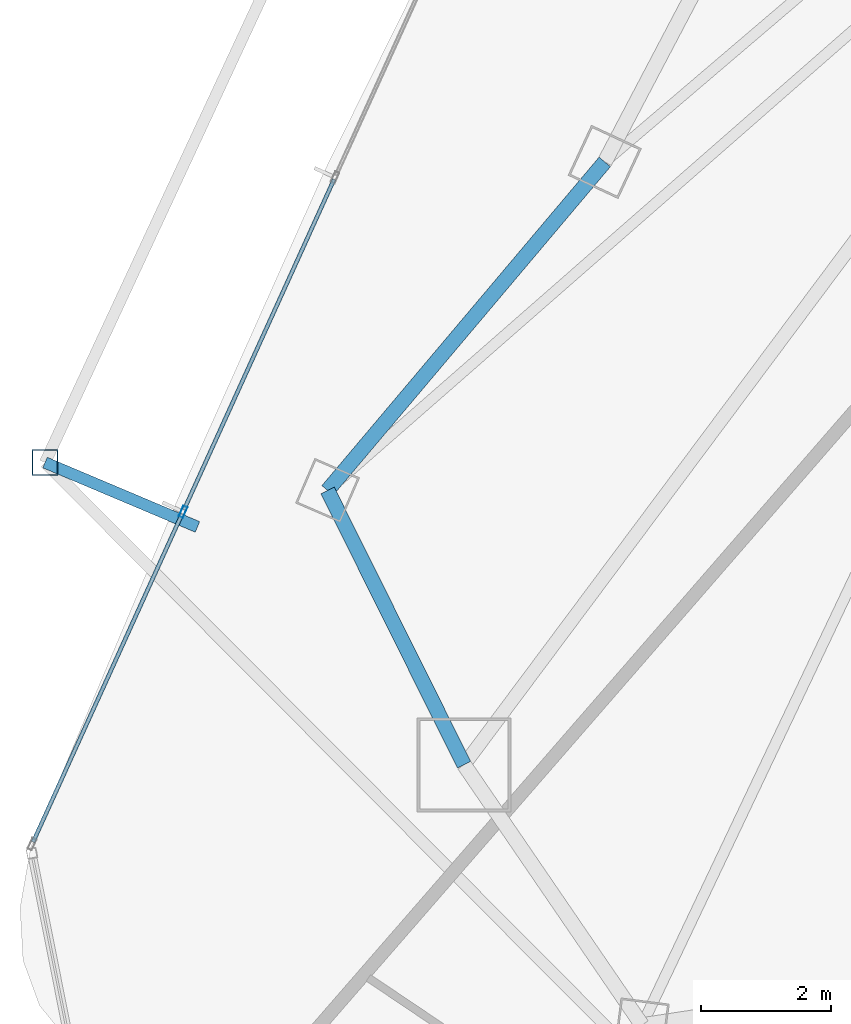
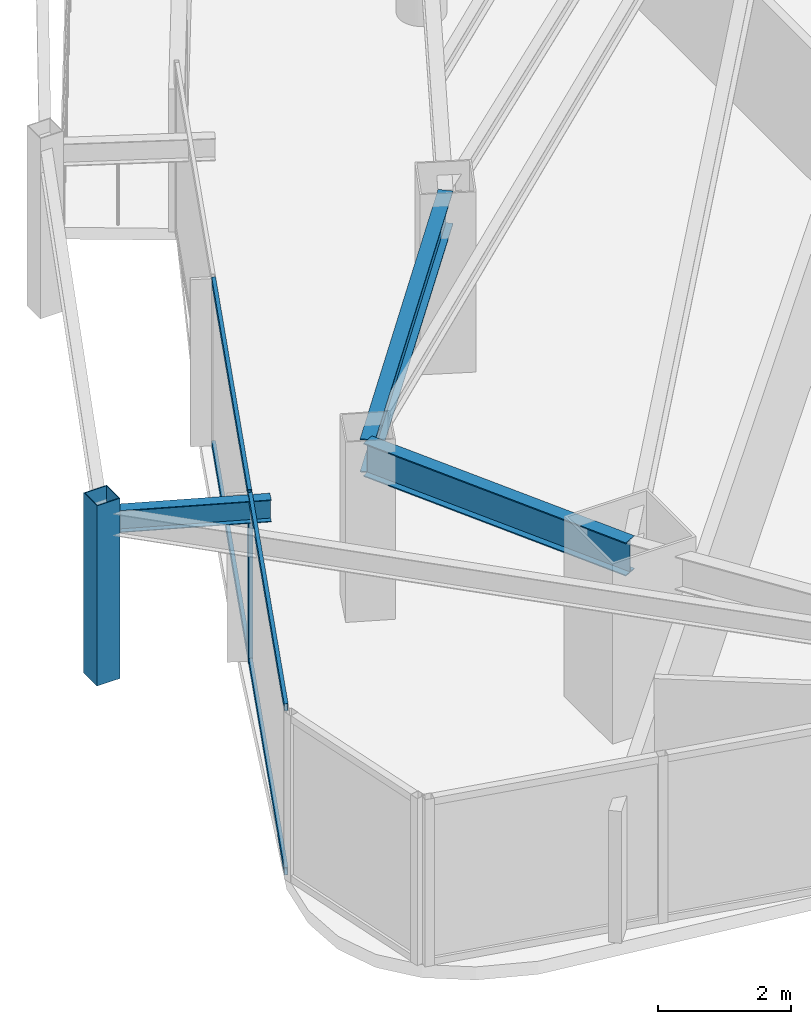
# One storey, part 5 of 30: 6 members, 3 beams, 1 element without a shape of its own.
"""IFC4 building model written with IfcOpenShell, lengths in metres."""

from ifc_helpers import new_model, si_unit, direction, frame, origin, origin_2d, place, context, subcontext, project, spatial, hollow_rectangle, i_section, extrude, material, layer, layer_set, material_profile, profile_set, type_object, element, aggregate, save


model = new_model("IFC4")

# Units and contexts
model_context = context("Model", 3, precision=1e-05, world=origin(), true_north=direction((0.0, 1.0)))
body_context = subcontext(model_context, "Body", "Model", "MODEL_VIEW")
ifc_project = project(units=[si_unit("LENGTHUNIT", "METRE"), si_unit("AREAUNIT", "SQUARE_METRE"), si_unit("VOLUMEUNIT", "CUBIC_METRE"), si_unit("PLANEANGLEUNIT", "RADIAN"), si_unit("MASSUNIT", "GRAM", prefix="KILO")], contexts=[model_context])

# Site, building, storey
site_placement = place(None, origin())
site = spatial("IfcSite", under=ifc_project, at=site_placement, CompositionType="ELEMENT")
building_placement = place(site_placement, origin())
building = spatial("IfcBuilding", under=site, at=building_placement, Name="Orvanel Arch Residences", CompositionType="ELEMENT")
storey_placement = place(building_placement, frame((0.0, 0.0, 139.699951171875)))
storey = spatial("IfcBuildingStorey", under=building, at=storey_placement, Name="L39", CompositionType="ELEMENT", Elevation=139.699951171875)

# Curtain wall, member
ifc_material_1 = material(Name="Bronze-anodised aluminium AA6063-T6", Category="aluminium")
ifc_layer = layer(ifc_material_1, 0.179931640625)
ifc_layer_set = layer_set([ifc_layer], Name="Bronze-anodised aluminium AA6063-T6")
curtain_wall_type = type_object("IfcCurtainWallType", Name="CW3-MID-SYS", PredefinedType="NOTDEFINED", material=ifc_layer_set)
curtain_wall_placement = place(storey_placement, origin())
curtain_wall = element("IfcCurtainWall", 1, at=curtain_wall_placement, inside=storey, type_object=curtain_wall_type, Name="L39 CW3-MID-SYS Unitised Curtain Wall", PredefinedType="NOTDEFINED")
ifc_material_profile_1 = material_profile(ifc_material_1, hollow_rectangle(XDim=0.070068359375, YDim=0.179931640625, WallThickness=0.00439453125, at=origin_2d()), Name="ALU180x70x4.5")
ifc_profile_set_1 = profile_set([ifc_material_profile_1], Name="Bronze-anodised aluminium AA6063-T6")
member_type_1 = type_object("IfcMemberType", Name="MUL-180x70", PredefinedType="MULLION", material=ifc_profile_set_1)
member_1_placement = place(storey_placement, frame((9.868408203125, 14.250732421875, 0.0), z_axis=(0.0, 0.0, 1.0), x_axis=(0.910449142842, -0.413621032225, 0.0)))
member_1 = element("IfcMember", 2, at=member_1_placement, type_object=member_type_1, Name="CW-S3 mullion 3", PredefinedType="MULLION", context=body_context, shape_type="SweptSolid", body=[
    extrude(hollow_rectangle(XDim=0.070068359375, YDim=0.179931640625, WallThickness=0.00439453125, at=origin_2d()), origin(), (0.0, 0.0, 1.0), 3.06005859375),
])

# Beams
ifc_material_2 = material(Name="Structural steel AS/NZS 3679.1 Grade 300 (300 MPa)", Category="steel")
ifc_material_profile_2 = material_profile(ifc_material_2, i_section(OverallWidth=0.177978515625, OverallDepth=0.406005859375, WebThickness=0.0078125, FlangeThickness=0.0126953125, at=origin_2d()), Name="410UB59.7")
ifc_profile_set_2 = profile_set([ifc_material_profile_2], Name="Structural steel AS/NZS 3679.1 Grade 300 (300 MPa)")
beam_type_1 = type_object("IfcBeamType", Name="OB-410UB-EXT", PredefinedType="SPANDREL", material=ifc_profile_set_2)
beam_1_placement = place(storey_placement, frame((10.090087890625, 14.01708984375, 2.85693359375), z_axis=(-0.921236599918, 0.389002733888, 0.0), x_axis=(-0.389002733888, -0.921236599918, 0.0)))
element("IfcBeam", 3, at=beam_1_placement, inside=storey, type_object=beam_type_1, Name="L39 Outer Frame Radial Tie Beam 04", PredefinedType="SPANDREL", context=body_context, shape_type="SweptSolid", body=[
    extrude(i_section(OverallWidth=0.177978515625, OverallDepth=0.406005859375, WebThickness=0.0078125, FlangeThickness=0.0126953125, at=origin_2d()), origin(), (0.0, 0.0, 1.0), 2.550048828125),
])
ifc_material_profile_3 = material_profile(ifc_material_2, i_section(OverallWidth=0.22900390625, OverallDepth=0.612060546875, WebThickness=0.011962890625, FlangeThickness=0.01953125, at=origin_2d()), Name="610UB125")
ifc_profile_set_3 = profile_set([ifc_material_profile_3], Name="Structural steel AS/NZS 3679.1 Grade 300 (300 MPa)")
beam_type_2 = type_object("IfcBeamType", Name="SP-610UB", PredefinedType="SPANDREL", material=ifc_profile_set_3)
beam_2_placement = place(storey_placement, frame((16.366943359375, 19.64208984375, 2.754150390625), z_axis=(-0.644950329775, -0.764224490659, 0.0), x_axis=(0.764224490659, -0.644950329775, 0.0)))
element("IfcBeam", 4, at=beam_2_placement, inside=storey, type_object=beam_type_2, Name="L39 Perimeter Spandrel Beam 01", PredefinedType="SPANDREL", context=body_context, shape_type="SweptSolid", body=[
    extrude(i_section(OverallWidth=0.22900390625, OverallDepth=0.612060546875, WebThickness=0.011962890625, FlangeThickness=0.01953125, at=origin_2d()), origin(), (0.0, 0.0, 1.0), 6.623779296875),
])
beam_3_placement = place(storey_placement, frame((12.094970703125, 14.580078125, 2.754150390625), z_axis=(0.44543469453, -0.895314432425, 0.0), x_axis=(0.895314432425, 0.44543469453, 0.0)))
element("IfcBeam", 5, at=beam_3_placement, inside=storey, type_object=beam_type_2, Name="L39 Perimeter Spandrel Beam 02", PredefinedType="SPANDREL", context=body_context, shape_type="SweptSolid", body=[
    extrude(i_section(OverallWidth=0.22900390625, OverallDepth=0.612060546875, WebThickness=0.011962890625, FlangeThickness=0.01953125, at=origin_2d()), origin(), (0.0, 0.0, 1.0), 4.723388671875),
])

# Member
ifc_material_3 = material(Name="Structural steel AS/NZS 1163 C450L0 (Grade 450)", Category="steel")
ifc_material_profile_4 = material_profile(ifc_material_3, hollow_rectangle(XDim=0.39990234375, YDim=0.39990234375, WallThickness=0.01611328125, at=origin_2d()), Name="SHS400x400x16")
ifc_profile_set_4 = profile_set([ifc_material_profile_4], Name="Structural steel AS/NZS 1163 C450L0 (Grade 450)")
member_type_2 = type_object("IfcMemberType", Name="ST-400SHS-EXT", PredefinedType="STRUT", material=ifc_profile_set_4)
member_2_placement = place(storey_placement, frame((7.740966796875, 15.009033203125, 0.0), z_axis=(0.0, 0.0, 1.0), x_axis=(1.0, 0.0, 0.0)))
element("IfcMember", 6, at=member_2_placement, inside=storey, type_object=member_type_2, Name="L39 Outer Perimeter Frame Post 04", PredefinedType="STRUT", context=body_context, shape_type="SweptSolid", body=[
    extrude(hollow_rectangle(XDim=0.39990234375, YDim=0.39990234375, WallThickness=0.01611328125, at=origin_2d()), origin(), (0.0, 0.0, 1.0), 3.300048828125),
])

ifc_material_profile_5 = material_profile(ifc_material_1, hollow_rectangle(XDim=0.06005859375, YDim=0.135009765625, WallThickness=0.00390625, at=origin_2d()), Name="ALU135x60x4")
ifc_profile_set_5 = profile_set([ifc_material_profile_5], Name="Bronze-anodised aluminium AA6063-T6")
member_type_3 = type_object("IfcMemberType", Name="TRN-135x60", PredefinedType="USERDEFINED", material=ifc_profile_set_5)
member_3_placement = place(storey_placement, frame((12.195068359375, 19.37255859375, 0.030029296875), z_axis=(-0.413592363241, -0.910462166742, 0.0), x_axis=(0.910462166742, -0.413592363241, 0.0)))
member_3 = element("IfcMember", 7, at=member_3_placement, type_object=member_type_3, Name="CW-S3 transom 2.1", ObjectType="TRANSOM", PredefinedType="USERDEFINED", context=body_context, shape_type="SweptSolid", body=[
    extrude(hollow_rectangle(XDim=0.06005859375, YDim=0.135009765625, WallThickness=0.00390625, at=origin_2d()), origin(), (0.0, 0.0, 1.0), 5.590576171875),
])

member_4_placement = place(storey_placement, frame((12.195068359375, 19.37255859375, 3.030029296875), z_axis=(-0.413592363241, -0.910462166742, 0.0), x_axis=(0.910462166742, -0.413592363241, 0.0)))
member_4 = element("IfcMember", 8, at=member_4_placement, type_object=member_type_3, Name="CW-S3 transom 2.2", ObjectType="TRANSOM", PredefinedType="USERDEFINED", context=body_context, shape_type="SweptSolid", body=[
    extrude(hollow_rectangle(XDim=0.06005859375, YDim=0.135009765625, WallThickness=0.00390625, at=origin_2d()), origin(), (0.0, 0.0, 1.0), 5.590576171875),
])

member_5_placement = place(storey_placement, frame((9.853759765625, 14.21875, 0.030029296875), z_axis=(-0.413610901204, -0.910453745341, 0.0), x_axis=(0.910453745341, -0.413610901204, 0.0)))
member_5 = element("IfcMember", 9, at=member_5_placement, type_object=member_type_3, Name="CW-S3 transom 3.1", ObjectType="TRANSOM", PredefinedType="USERDEFINED", context=body_context, shape_type="SweptSolid", body=[
    extrude(hollow_rectangle(XDim=0.06005859375, YDim=0.135009765625, WallThickness=0.00390625, at=origin_2d()), origin(), (0.0, 0.0, 1.0), 5.5556640625),
])

member_6_placement = place(storey_placement, frame((9.853759765625, 14.21875, 3.030029296875), z_axis=(-0.413610901204, -0.910453745341, 0.0), x_axis=(0.910453745341, -0.413610901204, 0.0)))
member_6 = element("IfcMember", 10, at=member_6_placement, type_object=member_type_3, Name="CW-S3 transom 3.2", ObjectType="TRANSOM", PredefinedType="USERDEFINED", context=body_context, shape_type="SweptSolid", body=[
    extrude(hollow_rectangle(XDim=0.06005859375, YDim=0.135009765625, WallThickness=0.00390625, at=origin_2d()), origin(), (0.0, 0.0, 1.0), 5.5556640625),
])

aggregate(curtain_wall, [member_1, member_3, member_4, member_5, member_6])

save(model, "model.ifc")
